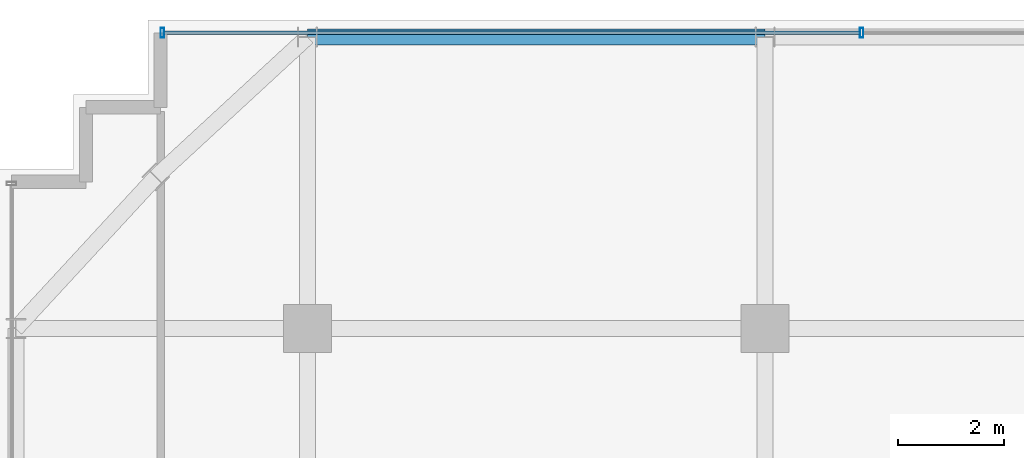
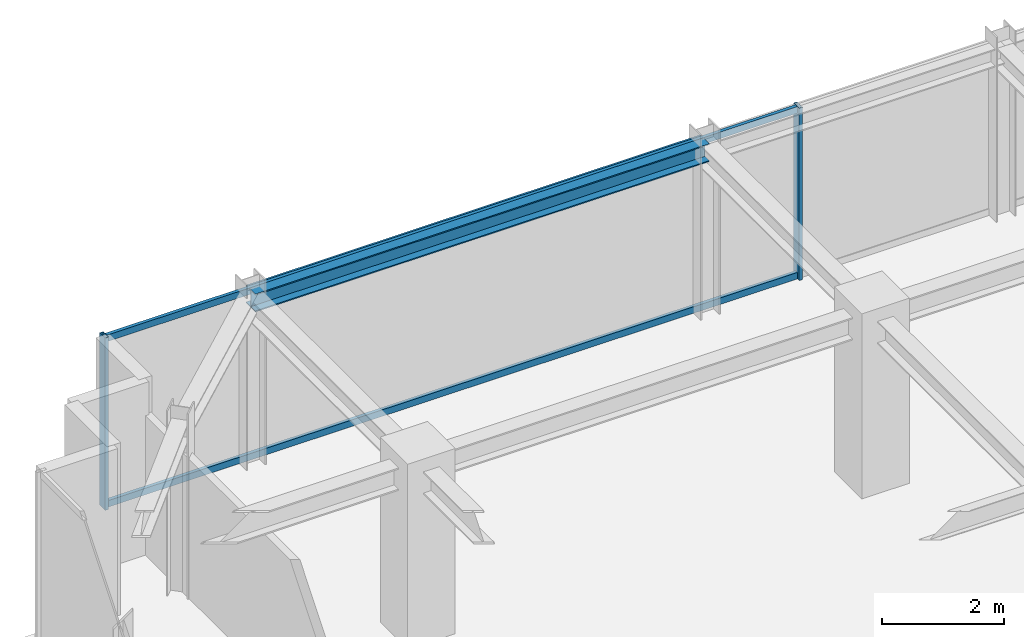
# One storey, part 20 of 31: 4 members, 1 beam, 1 element without a shape of its own.
"""IFC4 building model written with IfcOpenShell, lengths in metres."""

from ifc_helpers import new_model, si_unit, direction, frame, origin, origin_2d, place, context, subcontext, project, spatial, hollow_rectangle, i_section, extrude, source, transform, mapped, material, material_profile, profile_set, type_object, element, aggregate, save


model = new_model("IFC4")

# Units and contexts
model_context = context("Model", 3, precision=1e-05, world=origin(), true_north=direction((0.0, 1.0)))
body_context = subcontext(model_context, "Body", "Model", "MODEL_VIEW")
ifc_project = project(units=[si_unit("LENGTHUNIT", "METRE"), si_unit("AREAUNIT", "SQUARE_METRE"), si_unit("VOLUMEUNIT", "CUBIC_METRE"), si_unit("PLANEANGLEUNIT", "RADIAN"), si_unit("MASSUNIT", "GRAM", prefix="KILO")], contexts=[model_context])

# Site, building, storey
site_placement = place(None, origin())
site = spatial("IfcSite", under=ifc_project, at=site_placement, CompositionType="ELEMENT")
building_placement = place(site_placement, origin())
building = spatial("IfcBuilding", under=site, at=building_placement, Name="Nahalor Promenade Grand Hotel", CompositionType="ELEMENT")
storey_placement = place(building_placement, frame((0.0, 0.0, 277.550048828125)))
storey = spatial("IfcBuildingStorey", under=building, at=storey_placement, Name="L71", CompositionType="ELEMENT", Elevation=277.550048828125)

# Beam
ifc_material_1 = material(Name="Steel S355JR", Category="steel")
ifc_material_profile_1 = material_profile(ifc_material_1, i_section(OverallWidth=0.3, OverallDepth=0.36, WebThickness=0.0125, FlangeThickness=0.0225, at=origin_2d()), Name="HEB 360")
ifc_profile_set_1 = profile_set([ifc_material_profile_1], Name="Steel S355JR")
beam_type = type_object("IfcBeamType", Name="Beam-Spandrel-HEB360", PredefinedType="SPANDREL", material=ifc_profile_set_1)
shared_shape_1 = source(origin(), body_context, "Body", "SweptSolid", [
    extrude(i_section(OverallWidth=0.3, OverallDepth=0.36, WebThickness=0.0125, FlangeThickness=0.0225, at=origin_2d()), origin(), (0.0, 0.0, 1.0), 8.60009765625),
])
beam_placement = place(storey_placement, frame((-17.0, 22.47998046875, 3.27001953125), z_axis=(1.0, 0.0, 0.0), x_axis=(0.0, 1.0, 0.0)))
element("IfcBeam", 1, at=beam_placement, inside=storey, type_object=beam_type, Name="BM-L71-SP-N-0", PredefinedType="SPANDREL", context=body_context, shape_type="MappedRepresentation", body=[
    mapped(shared_shape_1, transform((0.0, 0.0, 0.0), scale=1.0)),
])

# Curtain wall, members
ifc_material_2 = material(Name="Anodised Bronze Aluminium EN AW-6063 T6", Category="aluminium")
curtain_wall_type = type_object("IfcCurtainWallType", Name="CW2 Typical Hotel Flush Bronze Unitised Curtain Wall", PredefinedType="USERDEFINED", material=ifc_material_2)
curtain_wall_placement = place(storey_placement, origin())
curtain_wall = element("IfcCurtainWall", 2, at=curtain_wall_placement, inside=storey, type_object=curtain_wall_type, Name="L71 Curtain Wall CW-L71-N-1", ObjectType="UNITISED_CURTAIN_WALL", PredefinedType="USERDEFINED")
ifc_material_profile_2 = material_profile(ifc_material_2, hollow_rectangle(XDim=0.065, YDim=0.13, WallThickness=0.004, at=origin_2d()), Name="CWT 65x130x4")
ifc_profile_set_2 = profile_set([ifc_material_profile_2], Name="Anodised Bronze Aluminium EN AW-6063 T6")
member_type_1 = type_object("IfcMemberType", Name="CWT2 Typical Bronze Transom 65x130", PredefinedType="USERDEFINED", material=ifc_profile_set_2)
shared_shape_2 = source(origin(), body_context, "Body", "SweptSolid", [
    extrude(hollow_rectangle(XDim=0.065, YDim=0.13, WallThickness=0.004, at=origin_2d()), origin(), (0.0, 0.0, 1.0), 13.075927734375),
])
member_1_placement = place(storey_placement, frame((-19.695068359375, 22.56005859375, 0.06494140625), z_axis=(1.0, 0.0, 0.0), x_axis=(0.0, 1.0, 0.0)))
member_1 = element("IfcMember", 3, at=member_1_placement, type_object=member_type_1, Name="CW-L71-N-1 Transom 0-0", ObjectType="TRANSOM", PredefinedType="USERDEFINED", context=body_context, shape_type="MappedRepresentation", body=[
    mapped(shared_shape_2, transform((0.0, 0.0, 0.0), scale=1.0)),
])
member_2_placement = place(storey_placement, frame((-19.695068359375, 22.56005859375, 3.385009765625), z_axis=(1.0, 0.0, 0.0), x_axis=(0.0, 1.0, 0.0)))
member_2 = element("IfcMember", 4, at=member_2_placement, type_object=member_type_1, Name="CW-L71-N-1 Transom 0-1", ObjectType="TRANSOM", PredefinedType="USERDEFINED", context=body_context, shape_type="MappedRepresentation", body=[
    mapped(shared_shape_2, transform((0.0, 0.0, 0.0), scale=1.0)),
])
ifc_material_profile_3 = material_profile(ifc_material_2, hollow_rectangle(XDim=0.065, YDim=0.18, WallThickness=0.004, at=origin_2d()), Name="CWM 65x180x4")
ifc_profile_set_3 = profile_set([ifc_material_profile_3], Name="Anodised Bronze Aluminium EN AW-6063 T6")
member_type_2 = type_object("IfcMemberType", Name="CWM2 Typical Bronze Mullion 65x180", PredefinedType="MULLION", material=ifc_profile_set_3)
shared_shape_3 = source(origin(), body_context, "Body", "SweptSolid", [
    extrude(hollow_rectangle(XDim=0.065, YDim=0.18, WallThickness=0.004, at=origin_2d()), origin(), (0.0, 0.0, 1.0), 3.449951171875),
])
member_3_placement = place(storey_placement, frame((-19.7275390625, 22.56005859375, 0.0), z_axis=(0.0, 0.0, 1.0), x_axis=(1.0, 0.0, 0.0)))
member_3 = element("IfcMember", 5, at=member_3_placement, type_object=member_type_2, Name="CW-L71-N-1 Mullion 0", PredefinedType="MULLION", context=body_context, shape_type="MappedRepresentation", body=[
    mapped(shared_shape_3, transform((0.0, 0.0, 0.0), scale=1.0)),
])
member_4_placement = place(storey_placement, frame((-6.586669921875, 22.56005859375, 0.0), z_axis=(0.0, 0.0, 1.0), x_axis=(1.0, 0.0, 0.0)))
member_4 = element("IfcMember", 6, at=member_4_placement, type_object=member_type_2, Name="CW-L71-N-1 Mullion 1", PredefinedType="MULLION", context=body_context, shape_type="MappedRepresentation", body=[
    mapped(shared_shape_3, transform((0.0, 0.0, 0.0), scale=1.0)),
])
aggregate(curtain_wall, [member_3, member_4, member_1, member_2])

save(model, "model.ifc")
